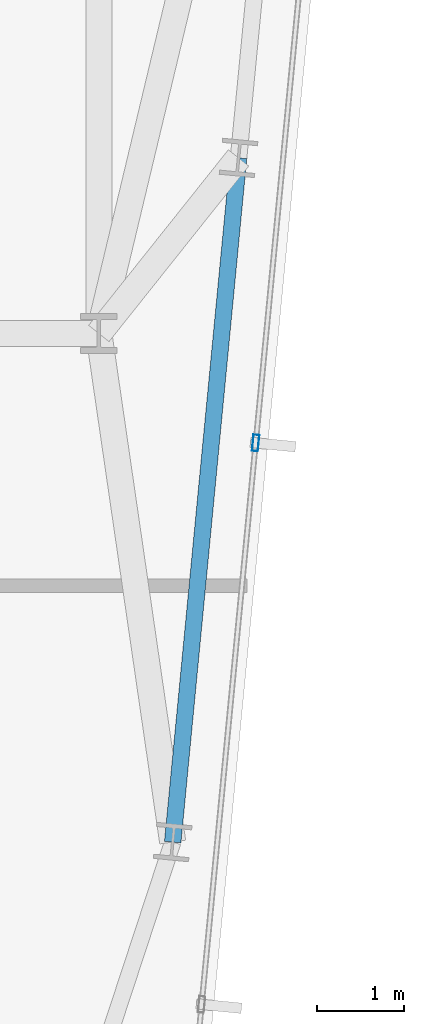
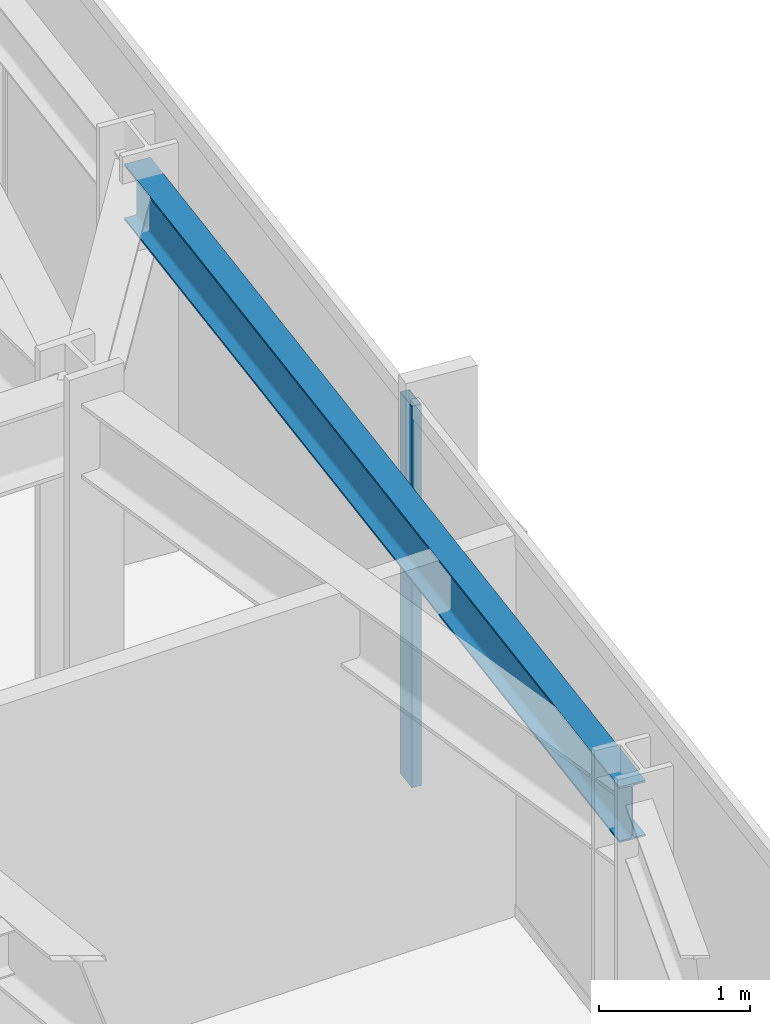
# One storey, part 16 of 37: 1 beam, 1 member, 1 element without a shape of its own.
"""IFC4 building model written with IfcOpenShell, lengths in metres."""

from ifc_helpers import new_model, si_unit, direction, frame, origin, origin_2d, place, context, subcontext, project, spatial, hollow_rectangle, i_section, extrude, material, material_profile, profile_set, type_object, element, aggregate, save


model = new_model("IFC4")

# Units and contexts
model_context = context("Model", 3, precision=1e-05, world=origin(), true_north=direction((0.0, 1.0)))
body_context = subcontext(model_context, "Body", "Model", "MODEL_VIEW")
ifc_project = project(units=[si_unit("LENGTHUNIT", "METRE"), si_unit("AREAUNIT", "SQUARE_METRE"), si_unit("VOLUMEUNIT", "CUBIC_METRE"), si_unit("PLANEANGLEUNIT", "RADIAN"), si_unit("MASSUNIT", "GRAM", prefix="KILO")], contexts=[model_context])

# Site, building, storey
site_placement = place(None, origin())
site = spatial("IfcSite", under=ifc_project, at=site_placement, CompositionType="ELEMENT")
building_placement = place(site_placement, origin())
building = spatial("IfcBuilding", under=site, at=building_placement, Name="Yelkora Congress Tower", CompositionType="ELEMENT")
storey_placement = place(building_placement, frame((0.0, 0.0, 165.5)))
storey = spatial("IfcBuildingStorey", under=building, at=storey_placement, Name="L45", CompositionType="ELEMENT", Elevation=165.5)

# Beam
ifc_material_1 = material(Name="Steel S355J2", Category="steel")
ifc_material_profile_1 = material_profile(ifc_material_1, i_section(OverallWidth=0.18994140625, OverallDepth=0.449951171875, WebThickness=0.009521484375, FlangeThickness=0.0146484375, FilletRadius=0.02099609375, at=origin_2d()), Name="IPE 450")
ifc_profile_set_1 = profile_set([ifc_material_profile_1], Name="Steel S355J2")
beam_type = type_object("IfcBeamType", Name="BM-SPAN-IPE450", PredefinedType="SPANDREL", material=ifc_profile_set_1)
beam_placement = place(storey_placement, frame((58.44921875, 19.353759765625, 2.85498046875), z_axis=(0.095831353931, 0.995397584689, 0.0), x_axis=(-0.995397584689, 0.095831353931, 0.0)))
element("IfcBeam", 1, at=beam_placement, inside=storey, type_object=beam_type, Name="L45 Perimeter Beam 10", PredefinedType="SPANDREL", context=body_context, shape_type="SweptSolid", body=[
    extrude(i_section(OverallWidth=0.18994140625, OverallDepth=0.449951171875, WebThickness=0.009521484375, FlangeThickness=0.0146484375, FilletRadius=0.02099609375, at=origin_2d()), origin(), (0.0, 0.0, 1.0), 7.900146484375),
])

# Curtain wall, member
ifc_material_2 = material(Name="Anodised aluminium and insulated glass", Category="aluminium")
curtain_wall_type = type_object("IfcCurtainWallType", Name="CW-SYS-B3", PredefinedType="NOTDEFINED", material=ifc_material_2)
curtain_wall_placement = place(storey_placement, origin())
curtain_wall = element("IfcCurtainWall", 2, at=curtain_wall_placement, inside=storey, type_object=curtain_wall_type, Name="L45 Unitised Curtain Wall 15", PredefinedType="NOTDEFINED")
ifc_material_3 = material(Name="Anodised aluminium 6063-T6", Category="aluminium")
ifc_material_profile_2 = material_profile(ifc_material_3, hollow_rectangle(XDim=0.070068359375, YDim=0.18994140625, WallThickness=0.00390625, at=origin_2d()), Name="ALU 70x190x4")
ifc_profile_set_2 = profile_set([ifc_material_profile_2], Name="Anodised aluminium 6063-T6")
member_type = type_object("IfcMemberType", Name="MEM-ML-B3", PredefinedType="MULLION", material=ifc_profile_set_2)
member_placement = place(storey_placement, frame((59.4033203125, 23.94140625, 0.0), z_axis=(0.0, 0.0, 1.0), x_axis=(0.995396565076, -0.095841944023, 0.0)))
member = element("IfcMember", 3, at=member_placement, type_object=member_type, Name="CW-B3 mullion 4", PredefinedType="MULLION", context=body_context, shape_type="SweptSolid", body=[
    extrude(hollow_rectangle(XDim=0.070068359375, YDim=0.18994140625, WallThickness=0.00390625, at=origin_2d()), origin(), (0.0, 0.0, 1.0), 3.080078125),
])
aggregate(curtain_wall, [member])

save(model, "model.ifc")
